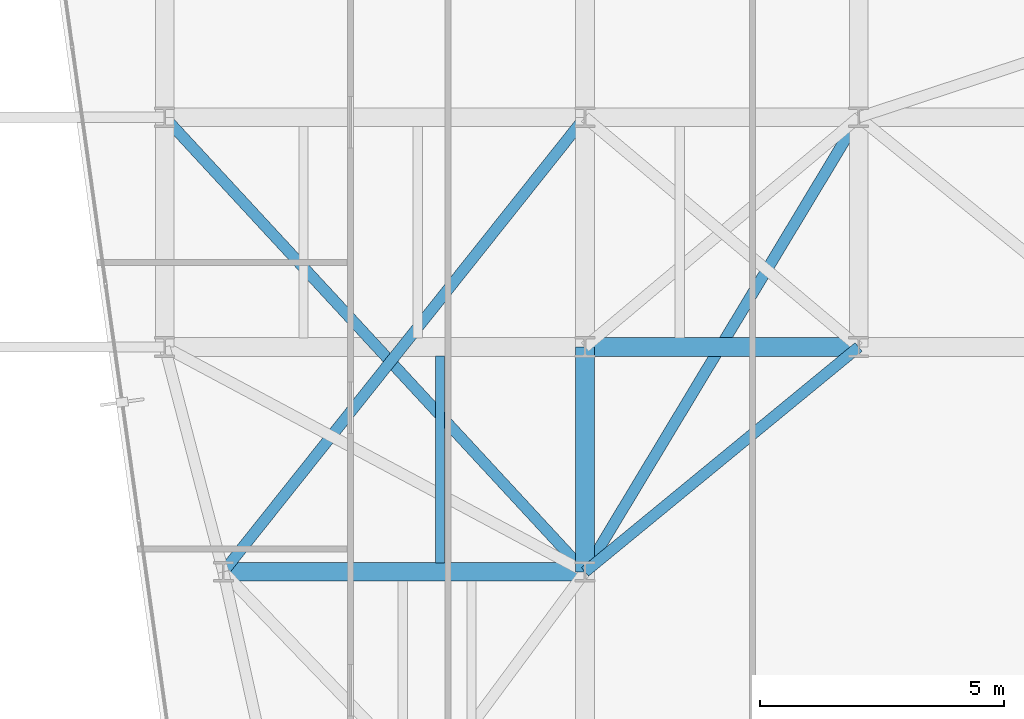
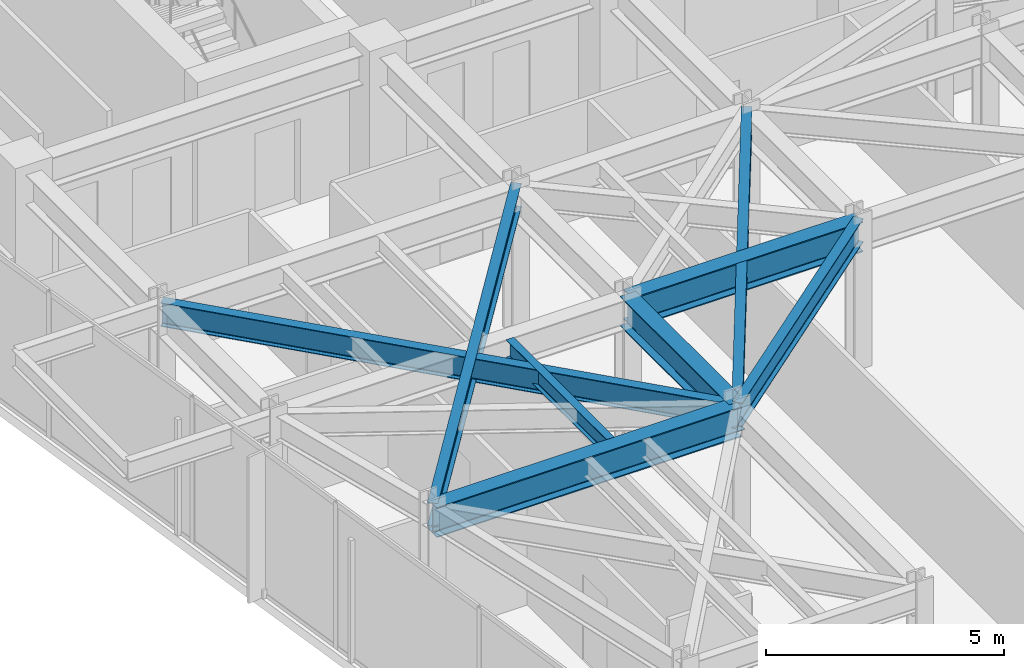
# One storey, part 5 of 27: 8 beams.
"""IFC4 building model written with IfcOpenShell, lengths in metres."""

from ifc_helpers import new_model, si_unit, direction, frame, origin, origin_2d, place, context, subcontext, project, spatial, i_section, extrude, material, material_profile, profile_set, type_object, element, save


model = new_model("IFC4")

# Units and contexts
model_context = context("Model", 3, precision=1e-05, world=origin(), true_north=direction((0.0, 1.0)))
body_context = subcontext(model_context, "Body", "Model", "MODEL_VIEW")
ifc_project = project(units=[si_unit("LENGTHUNIT", "METRE"), si_unit("AREAUNIT", "SQUARE_METRE"), si_unit("VOLUMEUNIT", "CUBIC_METRE"), si_unit("PLANEANGLEUNIT", "RADIAN"), si_unit("MASSUNIT", "GRAM", prefix="KILO")], contexts=[model_context])

# Site, building, storey
site_placement = place(None, origin())
site = spatial("IfcSite", under=ifc_project, at=site_placement, CompositionType="ELEMENT")
building_placement = place(site_placement, origin())
building = spatial("IfcBuilding", under=site, at=building_placement, Name="Kravanh Interchange Tower", CompositionType="ELEMENT")
storey_placement = place(building_placement, frame((0.0, 0.0, 188.5)))
storey = spatial("IfcBuildingStorey", under=building, at=storey_placement, Name="L45", CompositionType="ELEMENT", Elevation=188.5)

# Beams
ifc_material_1 = material(Name="Structural Steel S355", Category="steel")
ifc_material_profile_1 = material_profile(ifc_material_1, i_section(OverallWidth=0.381103515625, OverallDepth=0.77294921875, WebThickness=0.0166015625, FlangeThickness=0.027099609375, FilletRadius=0.02490234375, at=origin_2d()), Name="W30X173")
ifc_profile_set_1 = profile_set([ifc_material_profile_1], Name="Structural Steel S355")
beam_type_1 = type_object("IfcBeamType", Name="Floor Beam W30X173 Structural Steel S355", PredefinedType="BEAM", material=ifc_profile_set_1)
beam_1_placement = place(storey_placement, frame((27.199951171875, 26.800048828125, 3.368408203125), z_axis=(0.0, -1.0, 0.0), x_axis=(1.0, 0.0, 0.0)))
element("IfcBeam", 1, at=beam_1_placement, inside=storey, type_object=beam_type_1, Name="L45 Primary Floor Girder 37", PredefinedType="BEAM", context=body_context, shape_type="SweptSolid", body=[
    extrude(i_section(OverallWidth=0.381103515625, OverallDepth=0.77294921875, WebThickness=0.0166015625, FlangeThickness=0.027099609375, FilletRadius=0.02490234375, at=origin_2d()), origin(), (0.0, 0.0, 1.0), 4.60009765625),
])
beam_2_placement = place(storey_placement, frame((27.199951171875, 26.800048828125, 3.368408203125), z_axis=(1.0, 0.0, 0.0), x_axis=(0.0, 1.0, 0.0)))
element("IfcBeam", 2, at=beam_2_placement, inside=storey, type_object=beam_type_1, Name="L45 Primary Floor Girder 39", PredefinedType="BEAM", context=body_context, shape_type="SweptSolid", body=[
    extrude(i_section(OverallWidth=0.381103515625, OverallDepth=0.77294921875, WebThickness=0.0166015625, FlangeThickness=0.027099609375, FilletRadius=0.02490234375, at=origin_2d()), origin(), (0.0, 0.0, 1.0), 5.60009765625),
])
beam_3_placement = place(storey_placement, frame((19.800048828125, 22.199951171875, 3.368408203125), z_axis=(1.0, 0.0, 0.0), x_axis=(0.0, 1.0, 0.0)))
element("IfcBeam", 3, at=beam_3_placement, inside=storey, type_object=beam_type_1, Name="L45 Primary Floor Girder 91", PredefinedType="BEAM", context=body_context, shape_type="SweptSolid", body=[
    extrude(i_section(OverallWidth=0.381103515625, OverallDepth=0.77294921875, WebThickness=0.0166015625, FlangeThickness=0.027099609375, FilletRadius=0.02490234375, at=origin_2d()), origin(), (0.0, 0.0, 1.0), 7.39990234375),
])
ifc_material_2 = material(Name="Structural Steel S355", Category="steel")
ifc_material_profile_2 = material_profile(ifc_material_2, i_section(OverallWidth=0.18994140625, OverallDepth=0.45703125, WebThickness=0.009033203125, FlangeThickness=0.014404296875, FilletRadius=0.01806640625, at=origin_2d()), Name="W18X50")
ifc_profile_set_2 = profile_set([ifc_material_profile_2], Name="Structural Steel S355")
beam_type_2 = type_object("IfcBeamType", Name="Floor Joist W18X50 Structural Steel S355", PredefinedType="JOIST", material=ifc_profile_set_2)
beam_4_placement = place(storey_placement, frame((24.23193359375, 22.385498046875, 3.526611328125), z_axis=(0.0, 1.0, 0.0), x_axis=(-1.0, 0.0, 0.0)))
element("IfcBeam", 4, at=beam_4_placement, inside=storey, type_object=beam_type_2, Name="L45 Secondary Floor Joist 6", PredefinedType="JOIST", context=body_context, shape_type="SweptSolid", body=[
    extrude(i_section(OverallWidth=0.18994140625, OverallDepth=0.45703125, WebThickness=0.009033203125, FlangeThickness=0.014404296875, FilletRadius=0.01806640625, at=origin_2d()), origin(), (0.0, 0.0, 1.0), 4.22900390625),
])
ifc_material_3 = material(Name="Structural Steel S355", Category="steel")
ifc_material_profile_3 = material_profile(ifc_material_3, i_section(OverallWidth=0.22802734375, OverallDepth=0.60791015625, WebThickness=0.01123046875, FlangeThickness=0.017333984375, FilletRadius=0.02197265625, at=origin_2d()), Name="W24X76")
ifc_profile_set_3 = profile_set([ifc_material_profile_3], Name="Structural Steel S355")
beam_type_3 = type_object("IfcBeamType", Name="Floor Spandrel W24X76 Structural Steel S355", PredefinedType="SPANDREL", material=ifc_profile_set_3)
beam_5_placement = place(storey_placement, frame((32.800048828125, 26.800048828125, 3.450927734375), z_axis=(-0.772725074305, -0.634740860147, 0.0), x_axis=(0.634740860147, -0.772725074305, 0.0)))
element("IfcBeam", 5, at=beam_5_placement, inside=storey, type_object=beam_type_3, Name="L45 Perimeter Spandrel 43", PredefinedType="SPANDREL", context=body_context, shape_type="SweptSolid", body=[
    extrude(i_section(OverallWidth=0.22802734375, OverallDepth=0.60791015625, WebThickness=0.01123046875, FlangeThickness=0.017333984375, FilletRadius=0.02197265625, at=origin_2d()), origin(), (0.0, 0.0, 1.0), 7.247314453125),
])
beam_6_placement = place(storey_placement, frame((18.60009765625, 31.5, 3.450927734375), z_axis=(0.678927458783, -0.734205356634, 0.0), x_axis=(0.734205356634, 0.678927458783, 0.0)))
element("IfcBeam", 6, at=beam_6_placement, inside=storey, type_object=beam_type_3, Name="L45 Perimeter Spandrel 63", PredefinedType="SPANDREL", context=body_context, shape_type="SweptSolid", body=[
    extrude(i_section(OverallWidth=0.22802734375, OverallDepth=0.60791015625, WebThickness=0.01123046875, FlangeThickness=0.017333984375, FilletRadius=0.02197265625, at=origin_2d()), origin(), (0.0, 0.0, 1.0), 12.666748046875),
])
beam_7_placement = place(storey_placement, frame((27.199951171875, 31.5, 3.450927734375), z_axis=(-0.622633646541, -0.782513477324, 0.0), x_axis=(0.782513477324, -0.622633646541, 0.0)))
element("IfcBeam", 7, at=beam_7_placement, inside=storey, type_object=beam_type_3, Name="L45 Perimeter Spandrel 66", PredefinedType="SPANDREL", context=body_context, shape_type="SweptSolid", body=[
    extrude(i_section(OverallWidth=0.22802734375, OverallDepth=0.60791015625, WebThickness=0.01123046875, FlangeThickness=0.017333984375, FilletRadius=0.02197265625, at=origin_2d()), origin(), (0.0, 0.0, 1.0), 11.884765625),
])
beam_8_placement = place(storey_placement, frame((32.800048828125, 31.5, 3.450927734375), z_axis=(-0.515854375109, -0.856676288735, 0.0), x_axis=(0.856676288735, -0.515854375109, 0.0)))
element("IfcBeam", 8, at=beam_8_placement, inside=storey, type_object=beam_type_3, Name="L45 Perimeter Spandrel 69", PredefinedType="SPANDREL", context=body_context, shape_type="SweptSolid", body=[
    extrude(i_section(OverallWidth=0.22802734375, OverallDepth=0.60791015625, WebThickness=0.01123046875, FlangeThickness=0.017333984375, FilletRadius=0.02197265625, at=origin_2d()), origin(), (0.0, 0.0, 1.0), 10.85595703125),
])

save(model, "model.ifc")
